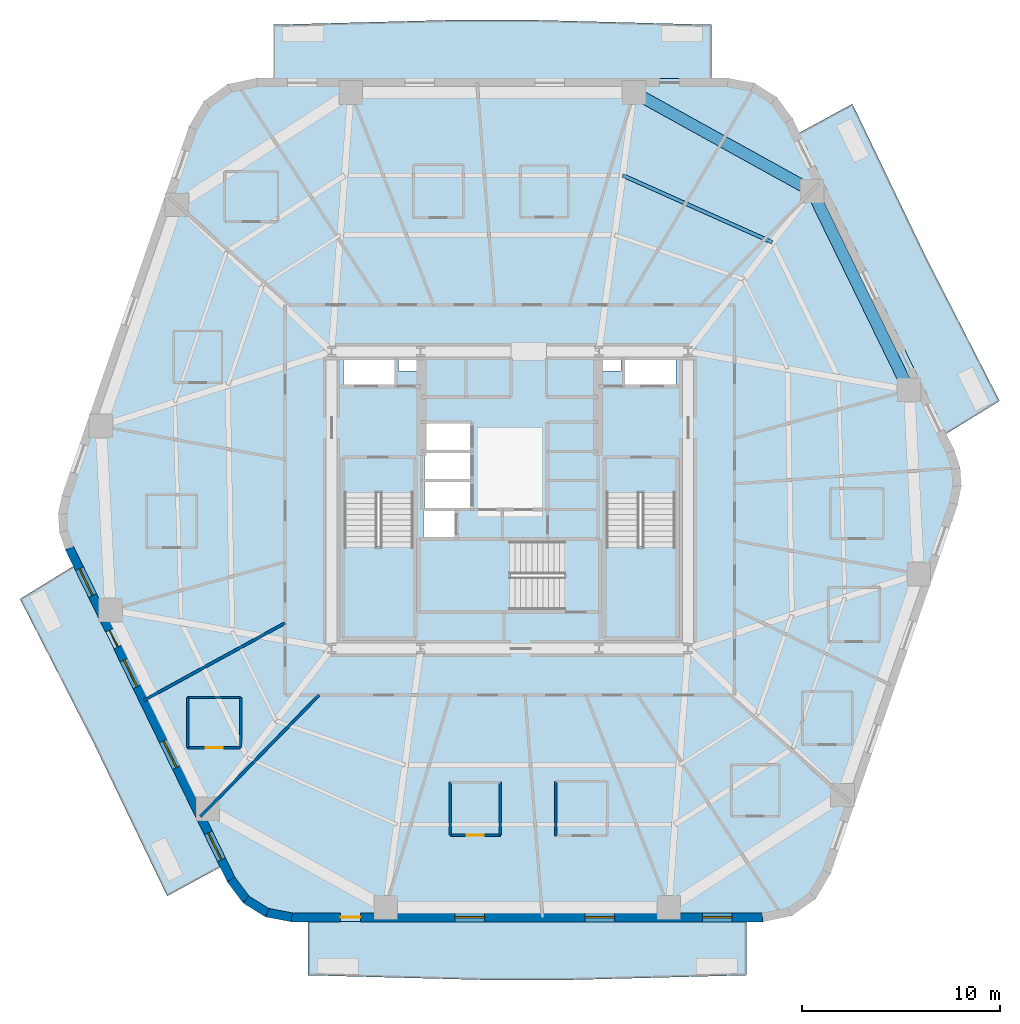
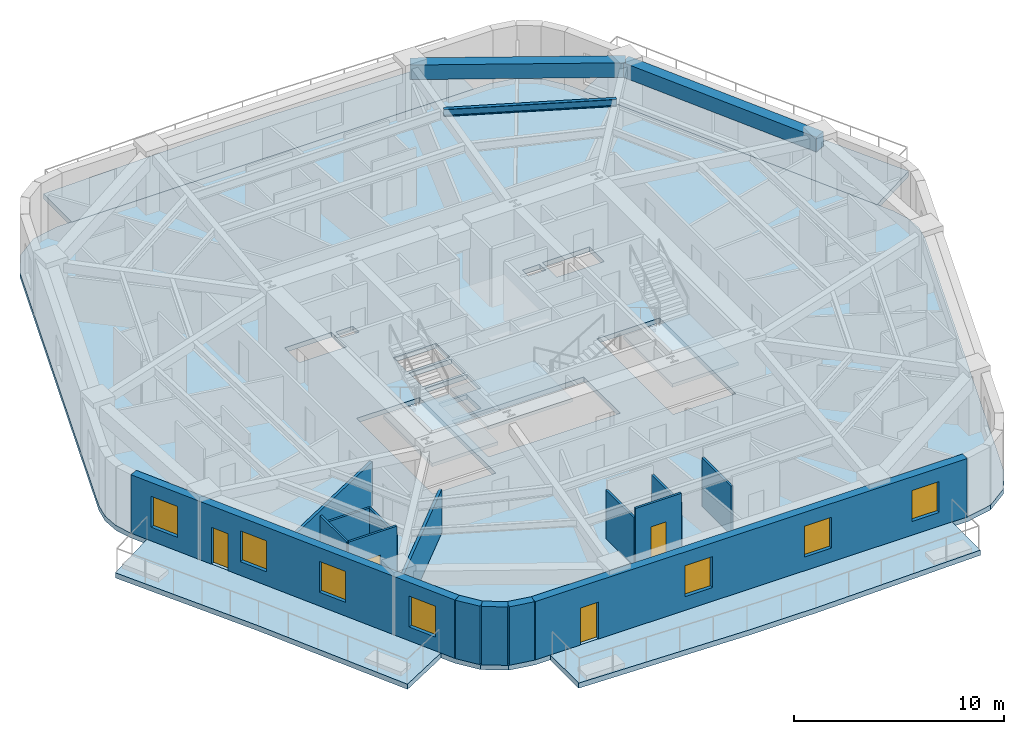
# One storey, part 2 of 10: 15 walls, 8 slabs, 7 windows, 4 doors, 3 beams, 11 openings, 3 elements without a shape of their own.
"""IFC4 building model written with IfcOpenShell, lengths in metres."""

import ifcopenshell
import ifcopenshell.guid

model = None  # the IFC model being written
_history = None  # IfcOwnerHistory: only IFC2X3 demands one
_inside = {}  # id of a spatial element -> (the spatial element, [elements in it])
_under = {}  # id of a project, library or spatial element -> (it, [spatial elements below it])
_declared = {}  # id of a project -> (the project, [libraries it declares])
_typed = {}  # id of a type object -> (the type object, [elements of that type])
_made_of = {}  # id of a material, layer set ... -> (it, [elements and type objects made of it])


def new_model(schema):
    """Start an empty IFC model of exactly this schema.

    Asked for "IFC4X3", IfcOpenShell would pick the latest addendum, in which some entities
    have other attributes; the version numbers below select the first issue.
    IFC2X3 requires an IfcOwnerHistory on every rooted entity: one is made here for all.
    """
    global model, _history
    if schema == "IFC4X3":
        model = ifcopenshell.file(schema_version=(4, 3, 0, 0))
    else:
        model = ifcopenshell.file(schema=schema)
    _inside.clear()
    _under.clear()
    _declared.clear()
    _typed.clear()
    _made_of.clear()
    _history = None
    if model.schema == "IFC2X3":
        org = make("IfcOrganization", Name="unknown")
        user = make(
            "IfcPersonAndOrganization",
            ThePerson=make("IfcPerson", FamilyName="unknown"),
            TheOrganization=org,
        )
        app = make(
            "IfcApplication",
            ApplicationDeveloper=org,
            Version="unknown",
            ApplicationFullName="unknown",
            ApplicationIdentifier="unknown",
        )
        _history = make(
            "IfcOwnerHistory",
            OwningUser=user,
            OwningApplication=app,
            ChangeAction="ADDED",
            CreationDate=0,
        )
    return model


def make(cls, **values):
    """One entity of the class cls with the attributes given. An attribute that is None is left unset."""
    return model.create_entity(
        cls, **{name: value for name, value in values.items() if value is not None}
    )


def rooted(cls, **values):
    """An entity with a GlobalId (a new one), such as an element, a storey or a relation."""
    return make(cls, GlobalId=ifcopenshell.guid.new(), OwnerHistory=_history, **values)


def si_unit(unit_type, name, prefix=None):
    """IfcSIUnit, for example si_unit("LENGTHUNIT", "METRE", prefix="MILLI")."""
    return make("IfcSIUnit", UnitType=unit_type, Prefix=prefix, Name=name)


def assignment(units):
    """IfcUnitAssignment: the units of a project."""
    return None if units is None else make("IfcUnitAssignment", Units=units)


def point(xyz):
    """IfcCartesianPoint."""
    return None if xyz is None else make("IfcCartesianPoint", Coordinates=xyz)


def direction(xyz):
    """IfcDirection."""
    return None if xyz is None else make("IfcDirection", DirectionRatios=xyz)


def frame(location, z_axis=None, x_axis=None):
    """IfcAxis2Placement3D, a coordinate frame: its origin and axes. An axis left out is left unset."""
    return make(
        "IfcAxis2Placement3D",
        Location=point(location),
        Axis=direction(z_axis),
        RefDirection=direction(x_axis),
    )


def frame_2d(location, x_axis=None):
    """IfcAxis2Placement2D, a coordinate frame in the plane: its origin and x axis."""
    return make(
        "IfcAxis2Placement2D", Location=point(location), RefDirection=direction(x_axis)
    )


def origin():
    """The frame at (0, 0, 0) with its axes left unset."""
    return frame((0.0, 0.0, 0.0))


def origin_2d():
    """The frame at (0, 0) in the plane with its x axis left unset."""
    return frame_2d((0.0, 0.0))


def place(relative_to, where):
    """IfcLocalPlacement: puts the frame where relative to a parent placement (None: the world)."""
    return make(
        "IfcLocalPlacement", PlacementRelTo=relative_to, RelativePlacement=where
    )


def context(
    kind, dimensions, precision=None, world=None, true_north=None, identifier=None
):
    """IfcGeometricRepresentationContext, for example the 3D "Model" context."""
    return make(
        "IfcGeometricRepresentationContext",
        ContextIdentifier=identifier,
        ContextType=kind,
        CoordinateSpaceDimension=dimensions,
        Precision=precision,
        WorldCoordinateSystem=world,
        TrueNorth=true_north,
    )


def subcontext(parent, identifier, kind, view, scale=None):
    """IfcGeometricRepresentationSubContext, for example "Body" below "Model"."""
    return make(
        "IfcGeometricRepresentationSubContext",
        ContextIdentifier=identifier,
        ContextType=kind,
        ParentContext=parent,
        TargetScale=scale,
        TargetView=view,
    )


def project(units=None, contexts=None):
    """IfcProject with its units and contexts."""
    return rooted(
        "IfcProject",
        Name="project",
        RepresentationContexts=contexts,
        UnitsInContext=assignment(units),
    )


def spatial(cls, under=None, at=None, **own):
    """A site, building, storey or space (cls), placed at a placement, below another one or the project."""
    s = rooted(cls, ObjectPlacement=at, **own)
    if under is not None:
        _under.setdefault(under.id(), (under, []))[1].append(s)
    return s


def polyline(points):
    """IfcPolyline through the points."""
    return make("IfcPolyline", Points=[point(p) for p in points])


def profile(cls, at=None, kind="AREA", **sizes):
    """A parametric profile (cls). Its sizes go by their IFC names, for example OverallWidth=200.0."""
    return make(cls, ProfileType=kind, Position=at, **sizes)


def rectangle(**sizes):
    """IfcRectangleProfileDef."""
    return profile("IfcRectangleProfileDef", **sizes)


def i_section(**sizes):
    """IfcIShapeProfileDef."""
    return profile("IfcIShapeProfileDef", **sizes)


def outline(outer, holes=None, kind="AREA"):
    """IfcArbitraryClosedProfileDef: a profile drawn as a closed curve; with holes, ...WithVoids."""
    if holes is None:
        return make("IfcArbitraryClosedProfileDef", ProfileType=kind, OuterCurve=outer)
    return make(
        "IfcArbitraryProfileDefWithVoids",
        ProfileType=kind,
        OuterCurve=outer,
        InnerCurves=holes,
    )


def extrude(swept, where, along, depth):
    """IfcExtrudedAreaSolid: the profile swept, set in the frame where, extruded along a direction by depth."""
    return make(
        "IfcExtrudedAreaSolid",
        SweptArea=swept,
        Position=where,
        ExtrudedDirection=direction(along),
        Depth=depth,
    )


def shape(context_of_items, identifier, shape_type, items):
    """IfcShapeRepresentation: the items that make up one representation, for example the "Body"."""
    return make(
        "IfcShapeRepresentation",
        ContextOfItems=context_of_items,
        RepresentationIdentifier=identifier,
        RepresentationType=shape_type,
        Items=items,
    )


def material(Name=None, Category=None):
    """IfcMaterial."""
    return make("IfcMaterial", Name=Name, Category=Category)


def layer(
    of_material, thickness, ventilated=None, Name=None, Category=None, Priority=None
):
    """IfcMaterialLayer: one layer of a wall or slab, of a material (None: an air gap)."""
    return make(
        "IfcMaterialLayer",
        Material=of_material,
        LayerThickness=thickness,
        IsVentilated=ventilated,
        Name=Name,
        Category=Category,
        Priority=Priority,
    )


def layer_set(layers, Name=None):
    """IfcMaterialLayerSet."""
    return make("IfcMaterialLayerSet", MaterialLayers=layers, LayerSetName=Name)


def material_profile(
    of_material, cross_section, Name=None, Category=None, Priority=None
):
    """IfcMaterialProfile: a cross section and its material."""
    return make(
        "IfcMaterialProfile",
        Name=Name,
        Material=of_material,
        Profile=cross_section,
        Priority=Priority,
        Category=Category,
    )


def profile_set(profiles, Name=None, composite=None):
    """IfcMaterialProfileSet."""
    return make(
        "IfcMaterialProfileSet",
        Name=Name,
        MaterialProfiles=profiles,
        CompositeProfile=composite,
    )


def made_of(thing, what):
    """Note that an element or type object is made of a material, layer set ...; save() writes the relation."""
    if what is not None:
        _made_of.setdefault(what.id(), (what, []))[1].append(thing)
    return thing


def type_object(cls, material=None, **own):
    """A type object (cls), such as IfcWallType, which elements share."""
    return made_of(rooted(cls, **own), material)


def element(
    cls,
    number,
    at=None,
    inside=None,
    cuts=None,
    type_object=None,
    material=None,
    context=None,
    identifier="Body",
    shape_type=None,
    held_by="IfcProductDefinitionShape",
    body=None,
    shapes=None,
    **own,
):
    """One element of the class cls, such as IfcWall. Its Tag is "e" and its number.

    at: its placement. inside: the storey or other place that contains it. cuts: it is an
    opening in that element (IfcRelVoidsElement). A single representation is given by context,
    identifier, shape_type and body (its items); several are given by shapes. held_by: the class
    of the entity that holds the representations. save() writes the other relations.
    """
    e = rooted(cls, Tag="e%d" % number, ObjectPlacement=at, **own)
    if body is not None:
        shapes = [shape(context, identifier, shape_type, body)]
    if shapes is not None:
        e.Representation = make(held_by, Representations=shapes)
    if inside is not None:
        _inside.setdefault(inside.id(), (inside, []))[1].append(e)
    if cuts is not None:
        rooted(
            "IfcRelVoidsElement", RelatingBuildingElement=cuts, RelatedOpeningElement=e
        )
    if type_object is not None:
        _typed.setdefault(type_object.id(), (type_object, []))[1].append(e)
    return made_of(e, material)


def fill(opening, filler):
    """IfcRelFillsElement: the door or window that sits in an opening."""
    return rooted(
        "IfcRelFillsElement",
        RelatingOpeningElement=opening,
        RelatedBuildingElement=filler,
    )


def aggregate(whole, parts):
    """IfcRelAggregates: a whole, such as a stair, and the parts it consists of."""
    return rooted("IfcRelAggregates", RelatingObject=whole, RelatedObjects=parts)


def save(model, path):
    """Write the relations noted so far, then the file.

    IfcRelAggregates (storeys below a building ...), IfcRelContainedInSpatialStructure (elements
    in a storey), IfcRelDefinesByType, IfcRelAssociatesMaterial and IfcRelDeclares: one each for
    every whole, place, type object, material and project.
    """
    for whole, parts in _under.values():
        aggregate(whole, parts)
    for where, things in _inside.values():
        rooted(
            "IfcRelContainedInSpatialStructure",
            RelatedElements=things,
            RelatingStructure=where,
        )
    for kind, things in _typed.values():
        rooted("IfcRelDefinesByType", RelatedObjects=things, RelatingType=kind)
    for what, things in _made_of.values():
        rooted("IfcRelAssociatesMaterial", RelatedObjects=things, RelatingMaterial=what)
    for by, libraries in _declared.values():
        rooted("IfcRelDeclares", RelatingContext=by, RelatedDefinitions=libraries)
    model.write(path)


model = new_model("IFC4")

# Units and contexts
model_context = context("Model", 3, precision=1e-05, world=origin(), true_north=direction((0.0, 1.0)))
body_context = subcontext(model_context, "Body", "Model", "MODEL_VIEW")
ifc_project = project(units=[si_unit("LENGTHUNIT", "METRE"), si_unit("AREAUNIT", "SQUARE_METRE"), si_unit("VOLUMEUNIT", "CUBIC_METRE"), si_unit("PLANEANGLEUNIT", "RADIAN"), si_unit("MASSUNIT", "GRAM", prefix="KILO")], contexts=[model_context])

# Site, building, storey
site_placement = place(None, origin())
site = spatial("IfcSite", under=ifc_project, at=site_placement, CompositionType="ELEMENT")
building_placement = place(site_placement, origin())
building = spatial("IfcBuilding", under=site, at=building_placement, Name="Kilnhurst Terrace Hotel", CompositionType="ELEMENT")
storey_placement = place(building_placement, frame((0.0, 0.0, 91.39990234375)))
storey = spatial("IfcBuildingStorey", under=building, at=storey_placement, Name="L21", CompositionType="ELEMENT", Elevation=91.39990234375)

# Beams
ifc_material_1 = material(Name="Concrete C50/60", Category="concrete")
ifc_material_profile_1 = material_profile(ifc_material_1, rectangle(XDim=0.60009765625, YDim=0.85009765625, at=origin_2d()), Name="RC600X850")
ifc_profile_set_1 = profile_set([ifc_material_profile_1], Name="Concrete C50/60")
beam_type_1 = type_object("IfcBeamType", Name="BM-SPN-600X850", PredefinedType="SPANDREL", material=ifc_profile_set_1)
beam_1_placement = place(storey_placement, frame((20.1640625, 5.549072265625, 2.97509765625), z_axis=(-0.438406012271, 0.89877704043, 0.0), x_axis=(-0.89877704043, -0.438406012271, 0.0)))
element("IfcBeam", 1, at=beam_1_placement, inside=storey, type_object=beam_type_1, Name="L21 Perimeter Spandrel Beam 5", PredefinedType="SPANDREL", context=body_context, shape_type="SweptSolid", body=[
    extrude(rectangle(XDim=0.60009765625, YDim=0.85009765625, at=origin_2d()), origin(), (0.0, 0.0, 1.0), 11.19287109375),
])
beam_2_placement = place(storey_placement, frame((15.257080078125, 15.60888671875, 2.97509765625), z_axis=(-0.875094010429, 0.483952965598, 0.0), x_axis=(-0.483952965598, -0.875094010429, 0.0)))
element("IfcBeam", 2, at=beam_2_placement, inside=storey, type_object=beam_type_1, Name="L21 Perimeter Spandrel Beam 6", PredefinedType="SPANDREL", context=body_context, shape_type="SweptSolid", body=[
    extrude(rectangle(XDim=0.60009765625, YDim=0.85009765625, at=origin_2d()), origin(), (0.0, 0.0, 1.0), 10.27197265625),
])
ifc_material_2 = material(Name="Steel ASTM A992 Grade 50", Category="steel")
ifc_material_profile_2 = material_profile(ifc_material_2, i_section(OverallWidth=0.180908203125, OverallDepth=0.417236328125, WebThickness=0.010986328125, FlangeThickness=0.018310546875, at=origin_2d()), Name="W16X57")
ifc_profile_set_2 = profile_set([ifc_material_profile_2], Name="Steel ASTM A992 Grade 50")
beam_type_2 = type_object("IfcBeamType", Name="JST-STL-W16X57", PredefinedType="JOIST", material=ifc_profile_set_2)
beam_3_placement = place(storey_placement, frame((13.2548828125, 13.01416015625, 3.191162109375), z_axis=(-0.912760935806, 0.408494154262, 0.0), x_axis=(-0.408494154262, -0.912760935806, 0.0)))
element("IfcBeam", 3, at=beam_3_placement, inside=storey, type_object=beam_type_2, Name="L21 Secondary Floor Steel Joist OUT.6", PredefinedType="JOIST", context=body_context, shape_type="SweptSolid", body=[
    extrude(i_section(OverallWidth=0.180908203125, OverallDepth=0.417236328125, WebThickness=0.010986328125, FlangeThickness=0.018310546875, at=origin_2d()), origin(), (0.0, 0.0, 1.0), 8.274658203125),
])

# Slabs
ifc_layer_1 = layer(ifc_material_1, 0.300048828125, Name="Concrete C50/60")
ifc_layer_set_1 = layer_set([ifc_layer_1], Name="Concrete C50/60")
slab_type_1 = type_object("IfcSlabType", Name="SLB-BAL-300", PredefinedType="FLOOR", material=ifc_layer_set_1)
slab_1_placement = place(storey_placement, frame((0.0, 0.0, -0.2998046875)))
element("IfcSlab", 4, at=slab_1_placement, inside=storey, type_object=slab_type_1, Name="L21 Cantilevered Planted Terrace Slab BAL-L1A", PredefinedType="FLOOR", context=body_context, shape_type="SweptSolid", body=[
    extrude(outline(polyline([(21.044921875, 12.205810546875), (24.734130859375, 5.0), (22.023193359375, 3.333740234375), (14.6083984375, 18.53564453125), (17.301513671875, 20.0), (21.044921875, 12.205810546875)])), origin(), (0.0, 0.0, 1.0), 0.2998046875),
])
slab_2_placement = place(storey_placement, frame((0.0, 0.0, -0.2998046875)))
element("IfcSlab", 5, at=slab_2_placement, inside=storey, type_object=slab_type_1, Name="L21 Cantilevered Planted Terrace Slab BAL-L1B", PredefinedType="FLOOR", context=body_context, shape_type="SweptSolid", body=[
    extrude(outline(polyline([(1.027099609375, 24.239990234375), (10.18310546875, 24.0), (10.18310546875, 21.280029296875), (-11.943603515625, 21.280029296875), (-11.943603515625, 24.0), (-2.787841796875, 24.239990234375), (1.027099609375, 24.239990234375)])), origin(), (0.0, 0.0, 1.0), 0.2998046875),
])
slab_3_placement = place(storey_placement, frame((0.0, 0.0, -0.2998046875)))
element("IfcSlab", 6, at=slab_3_placement, inside=storey, type_object=slab_type_1, Name="L21 Cantilevered Planted Terrace Slab BAL-L2A", PredefinedType="FLOOR", context=body_context, shape_type="SweptSolid", body=[
    extrude(outline(polyline([(-24.734130859375, -5.0), (-22.023193359375, -3.333740234375), (-14.6083984375, -18.53564453125), (-17.301513671875, -20.0), (-21.044921875, -12.205810546875), (-24.734130859375, -5.0)])), origin(), (0.0, 0.0, 1.0), 0.2998046875),
])
slab_4_placement = place(storey_placement, frame((0.0, 0.0, -0.2998046875)))
element("IfcSlab", 7, at=slab_4_placement, inside=storey, type_object=slab_type_1, Name="L21 Cantilevered Planted Terrace Slab BAL-L2B", PredefinedType="FLOOR", context=body_context, shape_type="SweptSolid", body=[
    extrude(outline(polyline([(-1.027099609375, -24.239990234375), (-10.18310546875, -24.0), (-10.18310546875, -21.280029296875), (11.943603515625, -21.280029296875), (11.943603515625, -24.0), (2.787841796875, -24.239990234375), (-1.027099609375, -24.239990234375)])), origin(), (0.0, 0.0, 1.0), 0.2998046875),
])
ifc_layer_2 = layer(ifc_material_1, 0.280029296875, Name="Concrete C50/60")
ifc_layer_set_2 = layer_set([ifc_layer_2], Name="Concrete C50/60")
slab_type_2 = type_object("IfcSlabType", Name="SLB-FLR-280", PredefinedType="FLOOR", material=ifc_layer_set_2)
slab_5_placement = place(storey_placement, frame((0.0, 0.0, -0.27978515625)))
element("IfcSlab", 8, at=slab_5_placement, inside=storey, type_object=slab_type_2, Name="L21 Structural Floor Slab", PredefinedType="FLOOR", context=body_context, shape_type="SweptSolid", body=[
    extrude(outline(polyline([(-14.2685546875, -19.2783203125), (-13.472900390625, -20.34716796875), (-12.342529296875, -21.05322265625), (-11.032958984375, -21.300048828125), (12.793701171875, -21.300048828125), (14.23876953125, -20.997314453125), (15.44091796875, -20.139892578125), (16.197509765625, -18.872314453125), (22.614501953125, -0.238525390625), (22.8017578125, 0.6826171875), (22.744384765625, 1.62060546875), (22.4462890625, 2.51171875), (14.2685546875, 19.2783203125), (13.472900390625, 20.34716796875), (12.342529296875, 21.05322265625), (11.032958984375, 21.300048828125), (-12.793701171875, 21.300048828125), (-14.23876953125, 20.997314453125), (-15.44091796875, 20.139892578125), (-16.197509765625, 18.872314453125), (-22.614501953125, 0.238525390625), (-22.8017578125, -0.6826171875), (-22.744384765625, -1.62060546875), (-22.4462890625, -2.51171875), (-14.2685546875, -19.2783203125)]), holes=[polyline([(-8.35009765625, 0.35498046875), (-4.8798828125, 0.35498046875), (-4.8798828125, -6.89990234375), (-8.35009765625, -6.89990234375), (-8.35009765625, 0.35498046875)]), polyline([(-2.800048828125, -1.89990234375), (-4.35009765625, -1.89990234375), (-4.35009765625, -0.550048828125), (-2.800048828125, -0.550048828125), (-2.800048828125, -1.89990234375)]), polyline([(-1.949951171875, -0.429931640625), (-4.300048828125, -0.429931640625), (-4.300048828125, 0.89990234375), (-1.949951171875, 0.89990234375), (-1.949951171875, -0.429931640625)]), polyline([(-4.300048828125, 1.050048828125), (-4.300048828125, 2.3798828125), (-1.949951171875, 2.3798828125), (-1.949951171875, 1.050048828125), (-4.300048828125, 1.050048828125)]), polyline([(-8.39990234375, 5.75), (-8.39990234375, 7.14990234375), (-5.800048828125, 7.14990234375), (-5.800048828125, 5.75), (-8.39990234375, 5.75)]), polyline([(-4.659912109375, 6.52001953125), (-5.6201171875, 6.52001953125), (-5.6201171875, 7.080078125), (-4.659912109375, 7.080078125), (-4.659912109375, 6.52001953125)]), polyline([(2.7548828125, -5.550048828125), (-4.5, -5.550048828125), (-4.5, -2.080078125), (2.7548828125, -2.080078125), (2.7548828125, -5.550048828125)]), polyline([(8.35009765625, 0.35498046875), (8.35009765625, -6.89990234375), (4.8798828125, -6.89990234375), (4.8798828125, 0.35498046875), (8.35009765625, 0.35498046875)]), polyline([(-1.949951171875, 2.530029296875), (-4.300048828125, 2.530029296875), (-4.300048828125, 3.860107421875), (-1.949951171875, 3.860107421875), (-1.949951171875, 2.530029296875)]), polyline([(5.800048828125, 5.75), (5.800048828125, 7.14990234375), (8.39990234375, 7.14990234375), (8.39990234375, 5.75), (5.800048828125, 5.75)]), polyline([(4.659912109375, 6.52001953125), (4.659912109375, 7.080078125), (5.6201171875, 7.080078125), (5.6201171875, 6.52001953125), (4.659912109375, 6.52001953125)])]), origin(), (0.0, 0.0, 1.0), 0.27978515625),
])

# Stair, slab
stair_type = type_object("IfcStairType", Name="STR-CORE-1660", PredefinedType="HALF_TURN_STAIR", material=ifc_material_1)
stair_1_placement = place(storey_placement, origin())
stair_1 = element("IfcStair", 9, at=stair_1_placement, inside=storey, type_object=stair_type, Name="L21 ST-1", PredefinedType="HALF_TURN_STAIR")
ifc_layer_3 = layer(ifc_material_1, 0.199951171875, Name="Concrete C50/60")
ifc_layer_set_3 = layer_set([ifc_layer_3], Name="Concrete C50/60")
slab_type_3 = type_object("IfcSlabType", Name="SLB-ST-LND-200", PredefinedType="LANDING", material=ifc_layer_set_3)
slab_6_placement = place(storey_placement, frame((0.0, 0.0, 1.650146484375)))
slab_6 = element("IfcSlab", 10, at=slab_6_placement, type_object=slab_type_3, Name="ST-1 landing 1", PredefinedType="LANDING", context=body_context, shape_type="SweptSolid", body=[
    extrude(outline(polyline([(-8.429931640625, -2.330078125), (-4.800048828125, -2.330078125), (-4.800048828125, -6.97998046875), (-8.429931640625, -6.97998046875), (-8.429931640625, -2.330078125)])), origin(), (0.0, 0.0, 1.0), 0.199951171875),
])
aggregate(stair_1, [slab_6])

stair_2_placement = place(storey_placement, origin())
stair_2 = element("IfcStair", 11, at=stair_2_placement, inside=storey, type_object=stair_type, Name="L21 ST-2", PredefinedType="HALF_TURN_STAIR")
slab_7_placement = place(storey_placement, frame((0.0, 0.0, 1.650146484375)))
slab_7 = element("IfcSlab", 12, at=slab_7_placement, type_object=slab_type_3, Name="ST-2 landing 1", PredefinedType="LANDING", context=body_context, shape_type="SweptSolid", body=[
    extrude(outline(polyline([(4.800048828125, -2.330078125), (8.429931640625, -2.330078125), (8.429931640625, -6.97998046875), (4.800048828125, -6.97998046875), (4.800048828125, -2.330078125)])), origin(), (0.0, 0.0, 1.0), 0.199951171875),
])
aggregate(stair_2, [slab_7])

stair_3_placement = place(storey_placement, origin())
stair_3 = element("IfcStair", 13, at=stair_3_placement, inside=storey, type_object=stair_type, Name="L21 ST-3", PredefinedType="HALF_TURN_STAIR")
slab_8_placement = place(storey_placement, frame((0.0, 0.0, 1.650146484375)))
slab_8 = element("IfcSlab", 14, at=slab_8_placement, type_object=slab_type_3, Name="ST-3 landing 1", PredefinedType="LANDING", context=body_context, shape_type="SweptSolid", body=[
    extrude(outline(polyline([(0.070068359375, -2.0), (0.070068359375, -5.6298828125), (-4.580078125, -5.6298828125), (-4.580078125, -2.0), (0.070068359375, -2.0)])), origin(), (0.0, 0.0, 1.0), 0.199951171875),
])
aggregate(stair_3, [slab_8])

# Walls
ifc_material_3 = material(Name="Precast concrete C40/50", Category="concrete")
ifc_layer_4 = layer(ifc_material_3, 0.449951171875, Name="Precast concrete C40/50")
ifc_layer_set_4 = layer_set([ifc_layer_4], Name="Precast concrete C40/50")
wall_type_1 = type_object("IfcWallType", Name="WL-BRK-450", PredefinedType="SOLIDWALL", material=ifc_layer_set_4)
wall_1_placement = place(storey_placement, frame((-14.07568359375, -19.16064453125, 0.0), z_axis=(0.0, 0.0, 1.0), x_axis=(0.597226657159, -0.802072515412, 0.0)))
element("IfcWall", 15, at=wall_1_placement, inside=storey, type_object=wall_type_1, Name="L21 Rounded Corner Brick Wall C1.1", PredefinedType="SOLIDWALL", context=body_context, shape_type="SweptSolid", body=[
    extrude(rectangle(XDim=1.269287109375, YDim=0.449951171875, at=frame_2d((0.634765625, 0.0))), origin(), (0.0, 0.0, 1.0), 3.400146484375),
])
wall_2_placement = place(storey_placement, frame((-13.317626953125, -20.1787109375, 0.0), z_axis=(0.0, 0.0, 1.0), x_axis=(0.848031272749, -0.529946186362, 0.0)))
element("IfcWall", 16, at=wall_2_placement, inside=storey, type_object=wall_type_1, Name="L21 Rounded Corner Brick Wall C1.2", PredefinedType="SOLIDWALL", context=body_context, shape_type="SweptSolid", body=[
    extrude(rectangle(XDim=1.248046875, YDim=0.449951171875, at=frame_2d((0.6240234375, 0.0))), origin(), (0.0, 0.0, 1.0), 3.400146484375),
])
wall_3_placement = place(storey_placement, frame((-12.25927734375, -20.840087890625, 0.0), z_axis=(0.0, 0.0, 1.0), x_axis=(0.982730354425, -0.185043374624, 0.0)))
element("IfcWall", 17, at=wall_3_placement, inside=storey, type_object=wall_type_1, Name="L21 Rounded Corner Brick Wall C1.3", PredefinedType="SOLIDWALL", context=body_context, shape_type="SweptSolid", body=[
    extrude(rectangle(XDim=1.269287109375, YDim=0.449951171875, at=frame_2d((0.634765625, 0.0))), origin(), (0.0, 0.0, 1.0), 3.400146484375),
])

# Wall, openings, door, windows
wall_4_placement = place(storey_placement, frame((-11.011962890625, -21.074951171875, 0.0), z_axis=(0.0, 0.0, 1.0), x_axis=(1.0, 0.0, 0.0)))
wall_4 = element("IfcWall", 18, at=wall_4_placement, inside=storey, type_object=wall_type_1, Name="L21 Exterior Brick Facade Wall F1", PredefinedType="SOLIDWALL", context=body_context, shape_type="SweptSolid", body=[
    extrude(rectangle(XDim=23.782470703125, YDim=0.449951171875, at=frame_2d((11.89111328125, 0.0))), origin(), (0.0, 0.0, 1.0), 3.400146484375),
])
opening_1_placement = place(wall_4_placement, frame((2.472900390625, 0.0, 0.0)))
opening_1 = element("IfcOpeningElement", 19, at=opening_1_placement, cuts=wall_4, Name="Opening BD-1000", PredefinedType="OPENING", context=body_context, shape_type="SweptSolid", body=[
    extrude(rectangle(XDim=1.0, YDim=2.14990234375, at=frame_2d((0.5, 1.074951171875))), frame((0.0, 0.23486328125, 0.0), z_axis=(0.0, -1.0, 0.0), x_axis=(1.0, 0.0, 0.0)), (0.0, 0.0, 1.0), 0.469970703125),
])
opening_2_placement = place(wall_4_placement, frame((8.243896484375, 0.0, 0.800048828125)))
opening_2 = element("IfcOpeningElement", 20, at=opening_2_placement, cuts=wall_4, Name="Opening W-02", PredefinedType="OPENING", context=body_context, shape_type="SweptSolid", body=[
    extrude(rectangle(XDim=1.5, YDim=1.800048828125, at=frame_2d((0.75, 0.89990234375))), frame((0.0, 0.23486328125, 0.0), z_axis=(0.0, -1.0, 0.0), x_axis=(1.0, 0.0, 0.0)), (0.0, 0.0, 1.0), 0.469970703125),
])
opening_3_placement = place(wall_4_placement, frame((14.81103515625, 0.0, 0.800048828125)))
opening_3 = element("IfcOpeningElement", 21, at=opening_3_placement, cuts=wall_4, Name="Opening W-02", PredefinedType="OPENING", context=body_context, shape_type="SweptSolid", body=[
    extrude(rectangle(XDim=1.5, YDim=1.800048828125, at=frame_2d((0.75, 0.89990234375))), frame((0.0, 0.23486328125, 0.0), z_axis=(0.0, -1.0, 0.0), x_axis=(1.0, 0.0, 0.0)), (0.0, 0.0, 1.0), 0.469970703125),
])
opening_4_placement = place(wall_4_placement, frame((20.740966796875, 0.0, 0.800048828125)))
opening_4 = element("IfcOpeningElement", 22, at=opening_4_placement, cuts=wall_4, Name="Opening W-02", PredefinedType="OPENING", context=body_context, shape_type="SweptSolid", body=[
    extrude(rectangle(XDim=1.5, YDim=1.800048828125, at=frame_2d((0.75, 0.89990234375))), frame((0.0, 0.23486328125, 0.0), z_axis=(0.0, -1.0, 0.0), x_axis=(1.0, 0.0, 0.0)), (0.0, 0.0, 1.0), 0.469970703125),
])
ifc_material_4 = material(Name="Thermally Broken Bronze Aluminium Alloy 6063-T6 and Laminated Glass", Category="aluminium")
door_type_1 = type_object("IfcDoorType", Name="DR-EXT-BAL-1000", OperationType="NOTDEFINED", PredefinedType="DOOR", material=ifc_material_4)
door_1_placement = place(opening_1_placement, origin())
door_1 = element("IfcDoor", 23, at=door_1_placement, inside=storey, type_object=door_type_1, Name="L21 Planted Balcony Door BAL-L2B", OperationType="SINGLE_SWING_LEFT", OverallHeight=2.14990234375, OverallWidth=1.0, PredefinedType="DOOR", context=body_context, shape_type="SweptSolid", body=[
    extrude(rectangle(XDim=1.0, YDim=2.14990234375, at=frame_2d((0.5, 1.074951171875))), frame((0.0, 0.02490234375, 0.0), z_axis=(0.0, -1.0, 0.0), x_axis=(1.0, 0.0, 0.0)), (0.0, 0.0, 1.0), 0.050048828125),
])
fill(opening_1, door_1)
ifc_material_5 = material(Name="Thermally Broken Bronze Aluminium Alloy 6063-T6 and Low-E Glass", Category="aluminium")
window_type = type_object("IfcWindowType", Name="WIN-1500X1800", PartitioningType="SINGLE_PANEL", PredefinedType="WINDOW", material=ifc_material_5)
window_1_placement = place(opening_2_placement, origin())
window_1 = element("IfcWindow", 24, at=window_1_placement, inside=storey, type_object=window_type, Name="L21 Deep-Set Masonry Window F1.1", OverallHeight=1.800048828125, OverallWidth=1.5, PartitioningType="SINGLE_PANEL", PredefinedType="WINDOW", context=body_context, shape_type="SweptSolid", body=[
    extrude(rectangle(XDim=1.5, YDim=1.800048828125, at=frame_2d((0.75, 0.89990234375))), frame((0.0, 0.030029296875, 0.0), z_axis=(0.0, -1.0, 0.0), x_axis=(1.0, 0.0, 0.0)), (0.0, 0.0, 1.0), 0.06005859375),
])
fill(opening_2, window_1)
window_2_placement = place(opening_3_placement, origin())
window_2 = element("IfcWindow", 25, at=window_2_placement, inside=storey, type_object=window_type, Name="L21 Deep-Set Masonry Window F1.2", OverallHeight=1.800048828125, OverallWidth=1.5, PartitioningType="SINGLE_PANEL", PredefinedType="WINDOW", context=body_context, shape_type="SweptSolid", body=[
    extrude(rectangle(XDim=1.5, YDim=1.800048828125, at=frame_2d((0.75, 0.89990234375))), frame((0.0, 0.030029296875, 0.0), z_axis=(0.0, -1.0, 0.0), x_axis=(1.0, 0.0, 0.0)), (0.0, 0.0, 1.0), 0.06005859375),
])
fill(opening_3, window_2)
window_3_placement = place(opening_4_placement, origin())
window_3 = element("IfcWindow", 26, at=window_3_placement, inside=storey, type_object=window_type, Name="L21 Deep-Set Masonry Window F1.3", OverallHeight=1.800048828125, OverallWidth=1.5, PartitioningType="SINGLE_PANEL", PredefinedType="WINDOW", context=body_context, shape_type="SweptSolid", body=[
    extrude(rectangle(XDim=1.5, YDim=1.800048828125, at=frame_2d((0.75, 0.89990234375))), frame((0.0, 0.030029296875, 0.0), z_axis=(0.0, -1.0, 0.0), x_axis=(1.0, 0.0, 0.0)), (0.0, 0.0, 1.0), 0.06005859375),
])
fill(opening_4, window_3)

wall_5_placement = place(storey_placement, frame((-22.237548828125, -2.426513671875, 0.0), z_axis=(0.0, 0.0, 1.0), x_axis=(0.438374803278, -0.898792262901, 0.0)))
wall_5 = element("IfcWall", 27, at=wall_5_placement, inside=storey, type_object=wall_type_1, Name="L21 Exterior Brick Facade Wall F6", PredefinedType="SOLIDWALL", context=body_context, shape_type="SweptSolid", body=[
    extrude(rectangle(XDim=18.618408203125, YDim=0.449951171875, at=frame_2d((9.30908203125, 0.0))), origin(), (0.0, 0.0, 1.0), 3.400146484375),
])
opening_5_placement = place(wall_5_placement, frame((4.6201171875, 0.0, 0.0)))
opening_5 = element("IfcOpeningElement", 28, at=opening_5_placement, cuts=wall_5, Name="Opening BD-950", PredefinedType="OPENING", context=body_context, shape_type="SweptSolid", body=[
    extrude(rectangle(XDim=0.949951171875, YDim=2.14990234375, at=frame_2d((0.47509765625, 1.074951171875))), frame((0.0, 0.23486328125, 0.0), z_axis=(0.0, -1.0, 0.0), x_axis=(1.0, 0.0, 0.0)), (0.0, 0.0, 1.0), 0.469970703125),
])
opening_6_placement = place(wall_5_placement, frame((1.1630859375, 0.0, 0.800048828125)))
opening_6 = element("IfcOpeningElement", 29, at=opening_6_placement, cuts=wall_5, Name="Opening W-02", PredefinedType="OPENING", context=body_context, shape_type="SweptSolid", body=[
    extrude(rectangle(XDim=1.5, YDim=1.800048828125, at=frame_2d((0.75, 0.89990234375))), frame((0.0, 0.23486328125, 0.0), z_axis=(0.0, -1.0, 0.0), x_axis=(1.0, 0.0, 0.0)), (0.0, 0.0, 1.0), 0.469970703125),
])
opening_7_placement = place(wall_5_placement, frame((6.291015625, 0.0, 0.800048828125)))
opening_7 = element("IfcOpeningElement", 30, at=opening_7_placement, cuts=wall_5, Name="Opening W-02", PredefinedType="OPENING", context=body_context, shape_type="SweptSolid", body=[
    extrude(rectangle(XDim=1.5, YDim=1.800048828125, at=frame_2d((0.75, 0.89990234375))), frame((0.0, 0.23486328125, 0.0), z_axis=(0.0, -1.0, 0.0), x_axis=(1.0, 0.0, 0.0)), (0.0, 0.0, 1.0), 0.469970703125),
])
opening_8_placement = place(wall_5_placement, frame((10.8310546875, 0.0, 0.800048828125)))
opening_8 = element("IfcOpeningElement", 31, at=opening_8_placement, cuts=wall_5, Name="Opening W-02", PredefinedType="OPENING", context=body_context, shape_type="SweptSolid", body=[
    extrude(rectangle(XDim=1.5, YDim=1.800048828125, at=frame_2d((0.75, 0.89990234375))), frame((0.0, 0.23486328125, 0.0), z_axis=(0.0, -1.0, 0.0), x_axis=(1.0, 0.0, 0.0)), (0.0, 0.0, 1.0), 0.469970703125),
])
opening_9_placement = place(wall_5_placement, frame((16.006103515625, 0.0, 0.800048828125)))
opening_9 = element("IfcOpeningElement", 32, at=opening_9_placement, cuts=wall_5, Name="Opening W-02", PredefinedType="OPENING", context=body_context, shape_type="SweptSolid", body=[
    extrude(rectangle(XDim=1.5, YDim=1.800048828125, at=frame_2d((0.75, 0.89990234375))), frame((0.0, 0.23486328125, 0.0), z_axis=(0.0, -1.0, 0.0), x_axis=(1.0, 0.0, 0.0)), (0.0, 0.0, 1.0), 0.469970703125),
])
door_type_2 = type_object("IfcDoorType", Name="DR-EXT-BAL-950", OperationType="NOTDEFINED", PredefinedType="DOOR", material=ifc_material_4)
door_2_placement = place(opening_5_placement, origin())
door_2 = element("IfcDoor", 33, at=door_2_placement, inside=storey, type_object=door_type_2, Name="L21 Planted Balcony Door BAL-L2A", OperationType="SINGLE_SWING_RIGHT", OverallHeight=2.14990234375, OverallWidth=0.949951171875, PredefinedType="DOOR", context=body_context, shape_type="SweptSolid", body=[
    extrude(rectangle(XDim=0.949951171875, YDim=2.14990234375, at=frame_2d((0.47509765625, 1.074951171875))), frame((0.0, 0.02490234375, 0.0), z_axis=(0.0, -1.0, 0.0), x_axis=(1.0, 0.0, 0.0)), (0.0, 0.0, 1.0), 0.050048828125),
])
fill(opening_5, door_2)
window_4_placement = place(opening_6_placement, origin())
window_4 = element("IfcWindow", 34, at=window_4_placement, inside=storey, type_object=window_type, Name="L21 Deep-Set Masonry Window F6.1", OverallHeight=1.800048828125, OverallWidth=1.5, PartitioningType="SINGLE_PANEL", PredefinedType="WINDOW", context=body_context, shape_type="SweptSolid", body=[
    extrude(rectangle(XDim=1.5, YDim=1.800048828125, at=frame_2d((0.75, 0.89990234375))), frame((0.0, 0.030029296875, 0.0), z_axis=(0.0, -1.0, 0.0), x_axis=(1.0, 0.0, 0.0)), (0.0, 0.0, 1.0), 0.06005859375),
])
fill(opening_6, window_4)
window_5_placement = place(opening_7_placement, origin())
window_5 = element("IfcWindow", 35, at=window_5_placement, inside=storey, type_object=window_type, Name="L21 Deep-Set Masonry Window F6.2", OverallHeight=1.800048828125, OverallWidth=1.5, PartitioningType="SINGLE_PANEL", PredefinedType="WINDOW", context=body_context, shape_type="SweptSolid", body=[
    extrude(rectangle(XDim=1.5, YDim=1.800048828125, at=frame_2d((0.75, 0.89990234375))), frame((0.0, 0.030029296875, 0.0), z_axis=(0.0, -1.0, 0.0), x_axis=(1.0, 0.0, 0.0)), (0.0, 0.0, 1.0), 0.06005859375),
])
fill(opening_7, window_5)
window_6_placement = place(opening_8_placement, origin())
window_6 = element("IfcWindow", 36, at=window_6_placement, inside=storey, type_object=window_type, Name="L21 Deep-Set Masonry Window F6.3", OverallHeight=1.800048828125, OverallWidth=1.5, PartitioningType="SINGLE_PANEL", PredefinedType="WINDOW", context=body_context, shape_type="SweptSolid", body=[
    extrude(rectangle(XDim=1.5, YDim=1.800048828125, at=frame_2d((0.75, 0.89990234375))), frame((0.0, 0.030029296875, 0.0), z_axis=(0.0, -1.0, 0.0), x_axis=(1.0, 0.0, 0.0)), (0.0, 0.0, 1.0), 0.06005859375),
])
fill(opening_8, window_6)
window_7_placement = place(opening_9_placement, origin())
window_7 = element("IfcWindow", 37, at=window_7_placement, inside=storey, type_object=window_type, Name="L21 Deep-Set Masonry Window F6.4", OverallHeight=1.800048828125, OverallWidth=1.5, PartitioningType="SINGLE_PANEL", PredefinedType="WINDOW", context=body_context, shape_type="SweptSolid", body=[
    extrude(rectangle(XDim=1.5, YDim=1.800048828125, at=frame_2d((0.75, 0.89990234375))), frame((0.0, 0.030029296875, 0.0), z_axis=(0.0, -1.0, 0.0), x_axis=(1.0, 0.0, 0.0)), (0.0, 0.0, 1.0), 0.06005859375),
])
fill(opening_9, window_7)

# Walls
ifc_material_6 = material(Name="STC-58 Acoustic Twin-Frame Guestroom Demising Partition")
ifc_layer_5 = layer(ifc_material_6, 0.14990234375, Name="STC-58 Acoustic Twin-Frame Guestroom Demising Partition")
ifc_layer_set_5 = layer_set([ifc_layer_5], Name="STC-58 Acoustic Twin-Frame Guestroom Demising Partition")
wall_type_2 = type_object("IfcWallType", Name="WL-DEM-150", PredefinedType="PARTITIONING", material=ifc_layer_set_5)
wall_6_placement = place(storey_placement, frame((-11.35009765625, -6.215087890625, 0.0), z_axis=(0.0, 0.0, 1.0), x_axis=(-0.877115535756, -0.480279436303, 0.0)))
element("IfcWall", 38, at=wall_6_placement, inside=storey, type_object=wall_type_2, Name="L21 Interior Wall WL-L21-DEM-MID07-12-1", PredefinedType="PARTITIONING", context=body_context, shape_type="SweptSolid", body=[
    extrude(rectangle(XDim=8.1337890625, YDim=0.14990234375, at=frame_2d((4.06689453125, 0.0))), origin(), (0.0, 0.0, 1.0), 2.5400390625),
])
wall_7_placement = place(storey_placement, frame((-9.6279296875, -9.85009765625, 0.0), z_axis=(0.0, 0.0, 1.0), x_axis=(-0.698992824326, -0.715128681805, 0.0)))
element("IfcWall", 39, at=wall_7_placement, inside=storey, type_object=wall_type_2, Name="L21 Interior Wall WL-L21-DEM-COL08-13-1", PredefinedType="PARTITIONING", context=body_context, shape_type="SweptSolid", body=[
    extrude(rectangle(XDim=8.578857421875, YDim=0.14990234375, at=frame_2d((4.28955078125, 0.0))), origin(), (0.0, 0.0, 1.0), 2.5400390625),
])

# Wall, opening, door
ifc_material_7 = material(Name="120 mm Moisture-Resistant Tile-Backed Bathroom Partition")
ifc_layer_6 = layer(ifc_material_7, 0.1201171875, Name="120 mm Moisture-Resistant Tile-Backed Bathroom Partition")
ifc_layer_set_6 = layer_set([ifc_layer_6], Name="120 mm Moisture-Resistant Tile-Backed Bathroom Partition")
wall_type_3 = type_object("IfcWallType", Name="WL-PART-120", PredefinedType="PARTITIONING", material=ifc_layer_set_6)
wall_8_placement = place(storey_placement, frame((-16.27099609375, -12.510986328125, 0.0), z_axis=(0.0, 0.0, 1.0), x_axis=(1.0, 0.0, 0.0)))
wall_8 = element("IfcWall", 40, at=wall_8_placement, inside=storey, type_object=wall_type_3, Name="L21 Interior Wall WL-L21-BTH-12-1", PredefinedType="PARTITIONING", context=body_context, shape_type="SweptSolid", body=[
    extrude(rectangle(XDim=2.679931640625, YDim=0.1201171875, at=frame_2d((1.33984375, 0.0))), origin(), (0.0, 0.0, 1.0), 3.400146484375),
])
opening_10_placement = place(wall_8_placement, frame((0.9150390625, 0.0, 0.0)))
opening_10 = element("IfcOpeningElement", 41, at=opening_10_placement, cuts=wall_8, Name="Opening D-08A", PredefinedType="OPENING", context=body_context, shape_type="SweptSolid", body=[
    extrude(rectangle(XDim=0.85009765625, YDim=2.030029296875, at=frame_2d((0.425048828125, 1.01513671875))), frame((0.0, 0.070068359375, 0.0), z_axis=(0.0, -1.0, 0.0), x_axis=(1.0, 0.0, 0.0)), (0.0, 0.0, 1.0), 0.14013671875),
])
ifc_material_8 = material(Name="Moisture-Resistant Lacquered En-suite Bathroom Door")
door_type_3 = type_object("IfcDoorType", Name="DR-INT-850", OperationType="NOTDEFINED", PredefinedType="DOOR", material=ifc_material_8)
door_3_placement = place(opening_10_placement, origin())
door_3 = element("IfcDoor", 42, at=door_3_placement, inside=storey, type_object=door_type_3, Name="L21 En-suite Bathroom Door 12", OperationType="SINGLE_SWING_LEFT", OverallHeight=2.030029296875, OverallWidth=0.85009765625, PredefinedType="DOOR", context=body_context, shape_type="SweptSolid", body=[
    extrude(rectangle(XDim=0.85009765625, YDim=2.030029296875, at=frame_2d((0.425048828125, 1.01513671875))), frame((0.0, 0.02490234375, 0.0), z_axis=(0.0, -1.0, 0.0), x_axis=(1.0, 0.0, 0.0)), (0.0, 0.0, 1.0), 0.050048828125),
])
fill(opening_10, door_3)

# Walls
wall_9_placement = place(storey_placement, frame((-13.591064453125, -12.510986328125, 0.0), z_axis=(0.0, 0.0, 1.0), x_axis=(0.0, 1.0, 0.0)))
element("IfcWall", 43, at=wall_9_placement, inside=storey, type_object=wall_type_3, Name="L21 Interior Wall WL-L21-BTH-12-2", PredefinedType="PARTITIONING", context=body_context, shape_type="SweptSolid", body=[
    extrude(rectangle(XDim=2.5400390625, YDim=0.1201171875, at=frame_2d((1.27001953125, 0.0))), origin(), (0.0, 0.0, 1.0), 2.926513671875),
])
wall_10_placement = place(storey_placement, frame((-13.591064453125, -9.970947265625, 0.0), z_axis=(0.0, 0.0, 1.0), x_axis=(-1.0, 0.0, 0.0)))
element("IfcWall", 44, at=wall_10_placement, inside=storey, type_object=wall_type_3, Name="L21 Interior Wall WL-L21-BTH-12-3", PredefinedType="PARTITIONING", context=body_context, shape_type="SweptSolid", body=[
    extrude(rectangle(XDim=2.679931640625, YDim=0.1201171875, at=frame_2d((1.33984375, 0.0))), origin(), (0.0, 0.0, 1.0), 2.926513671875),
])
wall_11_placement = place(storey_placement, frame((-16.27099609375, -9.970947265625, 0.0), z_axis=(0.0, 0.0, 1.0), x_axis=(0.0, -1.0, 0.0)))
element("IfcWall", 45, at=wall_11_placement, inside=storey, type_object=wall_type_3, Name="L21 Interior Wall WL-L21-BTH-12-4", PredefinedType="PARTITIONING", context=body_context, shape_type="SweptSolid", body=[
    extrude(rectangle(XDim=2.5400390625, YDim=0.1201171875, at=frame_2d((1.27001953125, 0.0))), origin(), (0.0, 0.0, 1.0), 3.400146484375),
])

# Wall, opening, door
wall_12_placement = place(storey_placement, frame((-3.0009765625, -16.927001953125, 0.0), z_axis=(0.0, 0.0, 1.0), x_axis=(1.0, 0.0, 0.0)))
wall_12 = element("IfcWall", 46, at=wall_12_placement, inside=storey, type_object=wall_type_3, Name="L21 Interior Wall WL-L21-BTH-14-1", PredefinedType="PARTITIONING", context=body_context, shape_type="SweptSolid", body=[
    extrude(rectangle(XDim=2.52001953125, YDim=0.1201171875, at=frame_2d((1.260009765625, 0.0))), origin(), (0.0, 0.0, 1.0), 3.400146484375),
])
opening_11_placement = place(wall_12_placement, frame((0.8349609375, 0.0, 0.0)))
opening_11 = element("IfcOpeningElement", 47, at=opening_11_placement, cuts=wall_12, Name="Opening D-08A", PredefinedType="OPENING", context=body_context, shape_type="SweptSolid", body=[
    extrude(rectangle(XDim=0.85009765625, YDim=2.030029296875, at=frame_2d((0.425048828125, 1.01513671875))), frame((0.0, 0.070068359375, 0.0), z_axis=(0.0, -1.0, 0.0), x_axis=(1.0, 0.0, 0.0)), (0.0, 0.0, 1.0), 0.14013671875),
])
door_4_placement = place(opening_11_placement, origin())
door_4 = element("IfcDoor", 48, at=door_4_placement, inside=storey, type_object=door_type_3, Name="L21 En-suite Bathroom Door 14", OperationType="SINGLE_SWING_LEFT", OverallHeight=2.030029296875, OverallWidth=0.85009765625, PredefinedType="DOOR", context=body_context, shape_type="SweptSolid", body=[
    extrude(rectangle(XDim=0.85009765625, YDim=2.030029296875, at=frame_2d((0.425048828125, 1.01513671875))), frame((0.0, 0.02490234375, 0.0), z_axis=(0.0, -1.0, 0.0), x_axis=(1.0, 0.0, 0.0)), (0.0, 0.0, 1.0), 0.050048828125),
])
fill(opening_11, door_4)

# Walls
for number, where, z_axis, x_axis, name in (
    (49, (-0.48095703125, -16.927001953125, 0.0), (0.0, 0.0, 1.0), (0.0, 1.0, 0.0), "L21 Interior Wall WL-L21-BTH-14-2"),
    (50, (-3.0009765625, -14.2470703125, 0.0), (0.0, 0.0, 1.0), (0.0, -1.0, 0.0), "L21 Interior Wall WL-L21-BTH-14-4"),
):
    element("IfcWall", number, at=place(storey_placement, frame(where, z_axis=z_axis, x_axis=x_axis)), inside=storey, type_object=wall_type_3, Name=name, PredefinedType="PARTITIONING", context=body_context, shape_type="SweptSolid", body=[
        extrude(rectangle(XDim=2.679931640625, YDim=0.1201171875, at=frame_2d((1.33984375, 0.0))), origin(), (0.0, 0.0, 1.0), 2.840576171875),
    ])
wall_13_placement = place(storey_placement, frame((2.31396484375, -14.2119140625, 0.0), z_axis=(0.0, 0.0, 1.0), x_axis=(0.0, -1.0, 0.0)))
element("IfcWall", 51, at=wall_13_placement, inside=storey, type_object=wall_type_3, Name="L21 Interior Wall WL-L21-BTH-15-4", PredefinedType="PARTITIONING", context=body_context, shape_type="SweptSolid", body=[
    extrude(rectangle(XDim=2.75, YDim=0.1201171875, at=frame_2d((1.375, 0.0))), origin(), (0.0, 0.0, 1.0), 2.840576171875),
])

save(model, "model.ifc")
